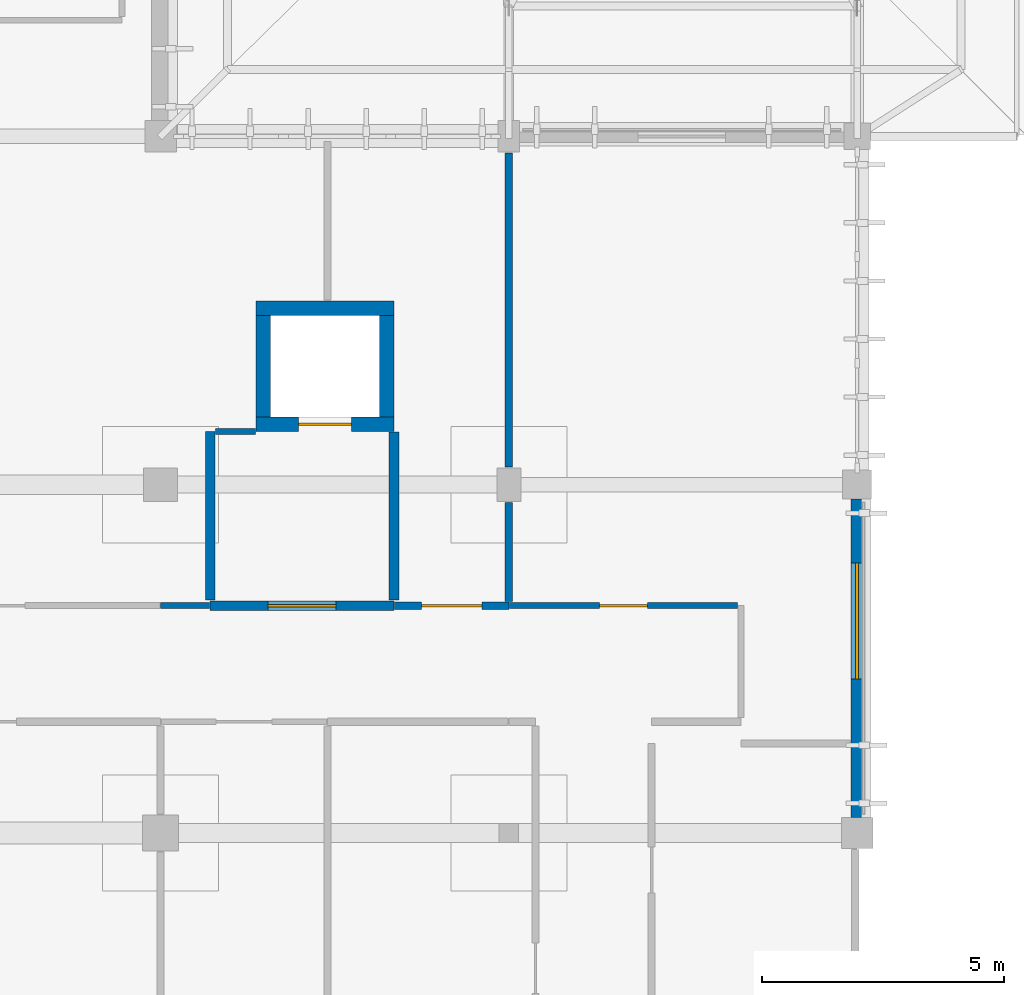
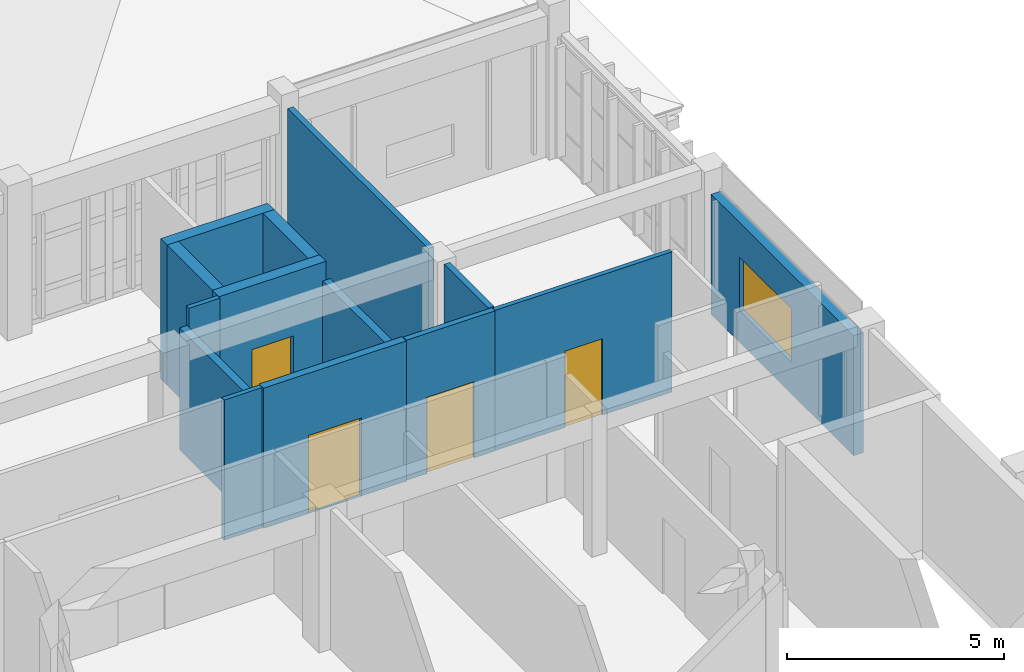
# One storey, part 35 of 51: 14 walls, 4 doors, 1 window, 5 openings.
"""IFC4 building model written with IfcOpenShell, lengths in metres."""

from ifc_helpers import new_model, si_unit, direction, frame, frame_2d, origin, place, context, subcontext, project, spatial, rectangle, extrude, material, layer, layer_set, type_object, element, fill, save


model = new_model("IFC4")

# Units and contexts
model_context = context("Model", 3, precision=1e-05, world=origin(), true_north=direction((0.0, 1.0)))
body_context = subcontext(model_context, "Body", "Model", "MODEL_VIEW")
ifc_project = project(units=[si_unit("LENGTHUNIT", "METRE"), si_unit("AREAUNIT", "SQUARE_METRE"), si_unit("VOLUMEUNIT", "CUBIC_METRE"), si_unit("PLANEANGLEUNIT", "RADIAN"), si_unit("MASSUNIT", "GRAM", prefix="KILO")], contexts=[model_context])

# Site, building, storey
site_placement = place(None, origin())
site = spatial("IfcSite", under=ifc_project, at=site_placement, CompositionType="ELEMENT")
building_placement = place(site_placement, origin())
building = spatial("IfcBuilding", under=site, at=building_placement, Name="Steenspoor Specialist Clinic", CompositionType="ELEMENT")
storey_placement = place(building_placement, frame((0.0, 0.0, 17.39990234375)))
storey = spatial("IfcBuildingStorey", under=building, at=storey_placement, Name="L04", CompositionType="ELEMENT", Elevation=17.39990234375)

# Wall, opening, door
ifc_material_1 = material(Name="Gypsum acoustic clinical partition", Category="gypsum")
ifc_layer_1 = layer(ifc_material_1, 0.14990234375)
ifc_layer_set_1 = layer_set([ifc_layer_1], Name="Gypsum acoustic clinical partition")
wall_type_1 = type_object("IfcWallType", Name="W-CLIN-150", PredefinedType="PARTITIONING", material=ifc_layer_set_1)
wall_1_placement = place(storey_placement, frame((137.239990234375, 84.25, 0.0), z_axis=(0.0, 0.0, 1.0), x_axis=(1.0, 0.0, 0.0)))
wall_1 = element("IfcWall", 1, at=wall_1_placement, inside=storey, type_object=wall_type_1, Name="Interior Partition IW-V6-L04-1835", PredefinedType="PARTITIONING", context=body_context, shape_type="SweptSolid", body=[
    extrude(rectangle(XDim=2.360107421875, YDim=0.14990234375, at=frame_2d((1.18017578125, 0.0))), origin(), (0.0, 0.0, 1.0), 3.9501953125),
])
opening_1_placement = place(wall_1_placement, frame((0.554931640625, 0.0, 0.0)))
opening_1 = element("IfcOpeningElement", 2, at=opening_1_placement, cuts=wall_1, Name="Opening D0512", PredefinedType="OPENING", context=body_context, shape_type="SweptSolid", body=[
    extrude(rectangle(XDim=1.25, YDim=2.14990234375, at=frame_2d((0.625, 1.074951171875))), frame((0.0, 0.0849609375, 0.0), z_axis=(0.0, -1.0, 0.0), x_axis=(1.0, 0.0, 0.0)), (0.0, 0.0, 1.0), 0.169921875),
])
ifc_material_2 = material(Name="Hygienic HPL clinical timber door", Category="wood")
door_type_1 = type_object("IfcDoorType", Name="DT-EXAM-125X215", OperationType="NOTDEFINED", PredefinedType="DOOR", material=ifc_material_2)
door_1_placement = place(opening_1_placement, origin())
door_1 = element("IfcDoor", 3, at=door_1_placement, inside=storey, type_object=door_type_1, Name="Clinical Door D0512", OperationType="SINGLE_SWING_LEFT", OverallHeight=2.14990234375, OverallWidth=1.25, PredefinedType="DOOR", context=body_context, shape_type="SweptSolid", body=[
    extrude(rectangle(XDim=1.25, YDim=2.14990234375, at=frame_2d((0.625, 1.074951171875))), frame((0.0, 0.02490234375, 0.0), z_axis=(0.0, -1.0, 0.0), x_axis=(1.0, 0.0, 0.0)), (0.0, 0.0, 1.0), 0.050048828125),
])
fill(opening_1, door_1)

# Walls
wall_2_placement = place(storey_placement, frame((139.60009765625, 84.340087890625, 0.0), z_axis=(0.0, 0.0, 1.0), x_axis=(0.0, 1.0, 0.0)))
element("IfcWall", 4, at=wall_2_placement, inside=storey, type_object=wall_type_1, Name="Interior Partition IW-V6-L04-1919", PredefinedType="PARTITIONING", context=body_context, shape_type="SweptSolid", body=[
    extrude(rectangle(XDim=2.044921875, YDim=0.14990234375, at=frame_2d((1.0224609375, 0.0))), origin(), (0.0, 0.0, 1.0), 3.9501953125),
])
wall_3_placement = place(storey_placement, frame((139.60009765625, 87.114990234375, 0.0), z_axis=(0.0, 0.0, 1.0), x_axis=(0.0, 1.0, 0.0)))
element("IfcWall", 5, at=wall_3_placement, inside=storey, type_object=wall_type_1, Name="Interior Partition IW-V6-L04-1920", PredefinedType="PARTITIONING", context=body_context, shape_type="SweptSolid", body=[
    extrude(rectangle(XDim=6.4951171875, YDim=0.14990234375, at=frame_2d((3.24755859375, 0.0))), origin(), (0.0, 0.0, 1.0), 3.9501953125),
])

# Wall, opening, door
ifc_material_3 = material(Name="Gypsum studio partition board", Category="gypsum")
ifc_layer_2 = layer(ifc_material_3, 0.1201171875)
ifc_layer_set_2 = layer_set([ifc_layer_2], Name="Gypsum studio partition board")
wall_type_2 = type_object("IfcWallType", Name="W-PART-120", PredefinedType="PARTITIONING", material=ifc_layer_set_2)
wall_4_placement = place(storey_placement, frame((139.614990234375, 84.25, 0.0), z_axis=(0.0, 0.0, 1.0), x_axis=(1.0, 0.0, 0.0)))
wall_4 = element("IfcWall", 6, at=wall_4_placement, inside=storey, type_object=wall_type_2, Name="Interior Partition IW-V6-L04-1887", PredefinedType="PARTITIONING", context=body_context, shape_type="SweptSolid", body=[
    extrude(rectangle(XDim=4.7099609375, YDim=0.1201171875, at=frame_2d((2.35498046875, 0.0))), origin(), (0.0, 0.0, 1.0), 3.9501953125),
])
opening_2_placement = place(wall_4_placement, frame((1.85498046875, 0.0, 0.0)))
opening_2 = element("IfcOpeningElement", 7, at=opening_2_placement, cuts=wall_4, Name="Opening D0509", PredefinedType="OPENING", context=body_context, shape_type="SweptSolid", body=[
    extrude(rectangle(XDim=1.0, YDim=2.14990234375, at=frame_2d((0.5, 1.074951171875))), frame((0.0, 0.070068359375, 0.0), z_axis=(0.0, -1.0, 0.0), x_axis=(1.0, 0.0, 0.0)), (0.0, 0.0, 1.0), 0.14013671875),
])
ifc_material_4 = material(Name="Moisture-resistant HPL accessible WC door", Category="wood")
door_type_2 = type_object("IfcDoorType", Name="DT-AWC-100X215", OperationType="NOTDEFINED", PredefinedType="DOOR", material=ifc_material_4)
door_2_placement = place(opening_2_placement, origin())
door_2 = element("IfcDoor", 8, at=door_2_placement, inside=storey, type_object=door_type_2, Name="Clinical Door D0509", OperationType="SINGLE_SWING_RIGHT", OverallHeight=2.14990234375, OverallWidth=1.0, PredefinedType="DOOR", context=body_context, shape_type="SweptSolid", body=[
    extrude(rectangle(XDim=1.0, YDim=2.14990234375, at=frame_2d((0.5, 1.074951171875))), frame((0.0, 0.02490234375, 0.0), z_axis=(0.0, -1.0, 0.0), x_axis=(1.0, 0.0, 0.0)), (0.0, 0.0, 1.0), 0.050048828125),
])
fill(opening_2, door_2)

# Walls
wall_5_placement = place(storey_placement, frame((132.39990234375, 84.25, 0.0), z_axis=(0.0, 0.0, 1.0), x_axis=(1.0, 0.0, 0.0)))
element("IfcWall", 9, at=wall_5_placement, inside=storey, type_object=wall_type_2, Name="Interior Partition IW-V6-L04-1888", PredefinedType="PARTITIONING", context=body_context, shape_type="SweptSolid", body=[
    extrude(rectangle(XDim=1.010009765625, YDim=0.1201171875, at=frame_2d((0.5048828125, 0.0))), origin(), (0.0, 0.0, 1.0), 3.9501953125),
])
wall_6_placement = place(storey_placement, frame((133.5400390625, 87.85009765625, 0.0), z_axis=(0.0, 0.0, 1.0), x_axis=(1.0, 0.0, 0.0)))
element("IfcWall", 10, at=wall_6_placement, inside=storey, type_object=wall_type_2, Name="Interior Partition IW-V6-L04-1927", PredefinedType="PARTITIONING", context=body_context, shape_type="SweptSolid", body=[
    extrude(rectangle(XDim=0.820068359375, YDim=0.1201171875, at=frame_2d((0.41015625, 0.0))), origin(), (0.0, 0.0, 1.0), 3.9501953125),
])

# Wall, opening, window
ifc_material_5 = material(Name="Extruded clay brick masonry", Category="masonry")
ifc_layer_3 = layer(ifc_material_5, 0.260009765625)
ifc_layer_set_3 = layer_set([ifc_layer_3], Name="Extruded clay brick masonry")
wall_type_3 = type_object("IfcWallType", Name="W-SCREEN-260", PredefinedType="SOLIDWALL", material=ifc_layer_set_3)
wall_7_placement = place(storey_placement, frame((146.800048828125, 86.449951171875, 0.0), z_axis=(0.0, 0.0, 1.0), x_axis=(0.0, -1.0, 0.0)))
wall_7 = element("IfcWall", 11, at=wall_7_placement, inside=storey, type_object=wall_type_3, Name="Exterior Brick Wall EW-V6-L04-0351", PredefinedType="SOLIDWALL", context=body_context, shape_type="SweptSolid", body=[
    extrude(rectangle(XDim=6.574951171875, YDim=0.260009765625, at=frame_2d((3.28759765625, 0.0))), origin(), (0.0, 0.0, 1.0), 3.380126953125),
])
opening_3_placement = place(wall_7_placement, frame((1.31494140625, 0.0, 0.89990234375)))
opening_3 = element("IfcOpeningElement", 12, at=opening_3_placement, cuts=wall_7, Name="Opening WN-14", PredefinedType="OPENING", context=body_context, shape_type="SweptSolid", body=[
    extrude(rectangle(XDim=2.39990234375, YDim=1.5, at=frame_2d((1.199951171875, 0.75))), frame((0.0, 0.14013671875, 0.0), z_axis=(0.0, -1.0, 0.0), x_axis=(1.0, 0.0, 0.0)), (0.0, 0.0, 1.0), 0.280029296875),
])
ifc_material_6 = material(Name="Thermally broken aluminium and low-emissivity glass", Category="aluminium")
window_type = type_object("IfcWindowType", Name="WN-EXT-240X150", PartitioningType="SINGLE_PANEL", PredefinedType="WINDOW", material=ifc_material_6)
window_placement = place(opening_3_placement, origin())
window = element("IfcWindow", 13, at=window_placement, inside=storey, type_object=window_type, Name="Window 0370", OverallHeight=1.5, OverallWidth=2.39990234375, PartitioningType="SINGLE_PANEL", PredefinedType="WINDOW", context=body_context, shape_type="SweptSolid", body=[
    extrude(rectangle(XDim=2.39990234375, YDim=1.5, at=frame_2d((1.199951171875, 0.75))), frame((0.0, 0.030029296875, 0.0), z_axis=(0.0, -1.0, 0.0), x_axis=(1.0, 0.0, 0.0)), (0.0, 0.0, 1.0), 0.06005859375),
])
fill(opening_3, window)

# Wall, opening, door
ifc_material_7 = material(Name="Gypsum acoustic smoke barrier board", Category="gypsum")
ifc_layer_4 = layer(ifc_material_7, 0.199951171875)
ifc_layer_set_4 = layer_set([ifc_layer_4], Name="Gypsum acoustic smoke barrier board")
wall_type_4 = type_object("IfcWallType", Name="W-SMOKE-200", PredefinedType="PARTITIONING", material=ifc_layer_set_4)
wall_8_placement = place(storey_placement, frame((133.425048828125, 84.25, 0.0), z_axis=(0.0, 0.0, 1.0), x_axis=(1.0, 0.0, 0.0)))
wall_8 = element("IfcWall", 14, at=wall_8_placement, inside=storey, type_object=wall_type_4, Name="Interior Partition IW-V6-L04-1790", PredefinedType="PARTITIONING", context=body_context, shape_type="SweptSolid", body=[
    extrude(rectangle(XDim=3.800048828125, YDim=0.199951171875, at=frame_2d((1.89990234375, 0.0))), origin(), (0.0, 0.0, 1.0), 3.9501953125),
])
opening_4_placement = place(wall_8_placement, frame((1.199951171875, 0.0, 0.0)))
opening_4 = element("IfcOpeningElement", 15, at=opening_4_placement, cuts=wall_8, Name="Opening D0502", PredefinedType="OPENING", context=body_context, shape_type="SweptSolid", body=[
    extrude(rectangle(XDim=1.39990234375, YDim=2.199951171875, at=frame_2d((0.699951171875, 1.10009765625))), frame((0.0, 0.10986328125, 0.0), z_axis=(0.0, -1.0, 0.0), x_axis=(1.0, 0.0, 0.0)), (0.0, 0.0, 1.0), 0.219970703125),
])
ifc_material_8 = material(Name="Fire-rated clinical laminate door", Category="steel")
door_type_3 = type_object("IfcDoorType", Name="DT-LAB-140X220", OperationType="NOTDEFINED", PredefinedType="DOOR", material=ifc_material_8)
door_3_placement = place(opening_4_placement, origin())
door_3 = element("IfcDoor", 16, at=door_3_placement, inside=storey, type_object=door_type_3, Name="Lift Lobby Fire Door D0502", OperationType="SINGLE_SWING_LEFT", OverallHeight=2.199951171875, OverallWidth=1.39990234375, PredefinedType="DOOR", context=body_context, shape_type="SweptSolid", body=[
    extrude(rectangle(XDim=1.39990234375, YDim=2.199951171875, at=frame_2d((0.699951171875, 1.10009765625))), frame((0.0, 0.02490234375, 0.0), z_axis=(0.0, -1.0, 0.0), x_axis=(1.0, 0.0, 0.0)), (0.0, 0.0, 1.0), 0.050048828125),
])
fill(opening_4, door_3)

# Walls
wall_9_placement = place(storey_placement, frame((137.22509765625, 84.364990234375, 0.0), z_axis=(0.0, 0.0, 1.0), x_axis=(0.0, 1.0, 0.0)))
element("IfcWall", 17, at=wall_9_placement, inside=storey, type_object=wall_type_4, Name="Interior Partition IW-V6-L04-1797", PredefinedType="PARTITIONING", context=body_context, shape_type="SweptSolid", body=[
    extrude(rectangle(XDim=3.469970703125, YDim=0.199951171875, at=frame_2d((1.73486328125, 0.0))), origin(), (0.0, 0.0, 1.0), 3.440185546875),
])
wall_10_placement = place(storey_placement, frame((133.425048828125, 84.364990234375, 0.0), z_axis=(0.0, 0.0, 1.0), x_axis=(0.0, 1.0, 0.0)))
element("IfcWall", 18, at=wall_10_placement, inside=storey, type_object=wall_type_4, Name="Interior Partition IW-V6-L04-1798", PredefinedType="PARTITIONING", context=body_context, shape_type="SweptSolid", body=[
    extrude(rectangle(XDim=3.485107421875, YDim=0.199951171875, at=frame_2d((1.74267578125, 0.0))), origin(), (0.0, 0.0, 1.0), 3.440185546875),
])

# Wall, opening, door
ifc_material_9 = material(Name="Concrete C40/50", Category="concrete")
ifc_layer_5 = layer(ifc_material_9, 0.300048828125)
ifc_layer_set_5 = layer_set([ifc_layer_5], Name="Concrete C40/50")
wall_type_5 = type_object("IfcWallType", Name="W-SW-300", PredefinedType="SHEAR", material=ifc_layer_set_5)
wall_11_placement = place(storey_placement, frame((134.375, 88.0, 0.0), z_axis=(0.0, 0.0, 1.0), x_axis=(1.0, 0.0, 0.0)))
wall_11 = element("IfcWall", 19, at=wall_11_placement, inside=storey, type_object=wall_type_5, Name="Lift Shaft Shear Wall SW-EL-P3-L04-S", PredefinedType="SHEAR", context=body_context, shape_type="SweptSolid", body=[
    extrude(rectangle(XDim=2.85009765625, YDim=0.300048828125, at=frame_2d((1.425048828125, 0.0))), origin(), (0.0, 0.0, 1.0), 3.9501953125),
])
opening_5_placement = place(wall_11_placement, frame((0.875, 0.0, 0.0)))
opening_5 = element("IfcOpeningElement", 20, at=opening_5_placement, cuts=wall_11, Name="Opening LD26", PredefinedType="OPENING", context=body_context, shape_type="SweptSolid", body=[
    extrude(rectangle(XDim=1.10009765625, YDim=2.14990234375, at=frame_2d((0.550048828125, 1.074951171875))), frame((0.0, 0.16015625, 0.0), z_axis=(0.0, -1.0, 0.0), x_axis=(1.0, 0.0, 0.0)), (0.0, 0.0, 1.0), 0.320068359375),
])
ifc_material_10 = material(Name="Stainless steel lift landing door", Category="steel")
door_type_4 = type_object("IfcDoorType", Name="DT-LIFT-P-110", OperationType="NOTDEFINED", PredefinedType="DOOR", material=ifc_material_10)
door_4_placement = place(opening_5_placement, origin())
door_4 = element("IfcDoor", 21, at=door_4_placement, inside=storey, type_object=door_type_4, Name="Lift Landing Door LD26", OperationType="SLIDING_TO_LEFT", OverallHeight=2.14990234375, OverallWidth=1.10009765625, PredefinedType="DOOR", context=body_context, shape_type="SweptSolid", body=[
    extrude(rectangle(XDim=1.10009765625, YDim=2.14990234375, at=frame_2d((0.550048828125, 1.074951171875))), frame((0.0, 0.02490234375, 0.0), z_axis=(0.0, -1.0, 0.0), x_axis=(1.0, 0.0, 0.0)), (0.0, 0.0, 1.0), 0.050048828125),
])
fill(opening_5, door_4)

# Walls
wall_12_placement = place(storey_placement, frame((134.375, 90.39990234375, 0.0), z_axis=(0.0, 0.0, 1.0), x_axis=(1.0, 0.0, 0.0)))
element("IfcWall", 22, at=wall_12_placement, inside=storey, type_object=wall_type_5, Name="Lift Shaft Shear Wall SW-EL-P3-L04-N", PredefinedType="SHEAR", context=body_context, shape_type="SweptSolid", body=[
    extrude(rectangle(XDim=2.85009765625, YDim=0.300048828125, at=frame_2d((1.425048828125, 0.0))), origin(), (0.0, 0.0, 1.0), 3.9501953125),
])
for number, where, z_axis, x_axis, name in (
    (23, (134.52490234375, 88.14990234375, 0.0), (0.0, 0.0, 1.0), (0.0, 1.0, 0.0), "Lift Shaft Shear Wall SW-EL-P3-L04-W"),
    (24, (137.074951171875, 88.14990234375, 0.0), (0.0, 0.0, 1.0), (0.0, 1.0, 0.0), "Lift Shaft Shear Wall SW-EL-P3-L04-E"),
):
    element("IfcWall", number, at=place(storey_placement, frame(where, z_axis=z_axis, x_axis=x_axis)), inside=storey, type_object=wall_type_5, Name=name, PredefinedType="SHEAR", context=body_context, shape_type="SweptSolid", body=[
        extrude(rectangle(XDim=2.10009765625, YDim=0.300048828125, at=frame_2d((1.050048828125, 0.0))), origin(), (0.0, 0.0, 1.0), 3.9501953125),
    ])

save(model, "model.ifc")
